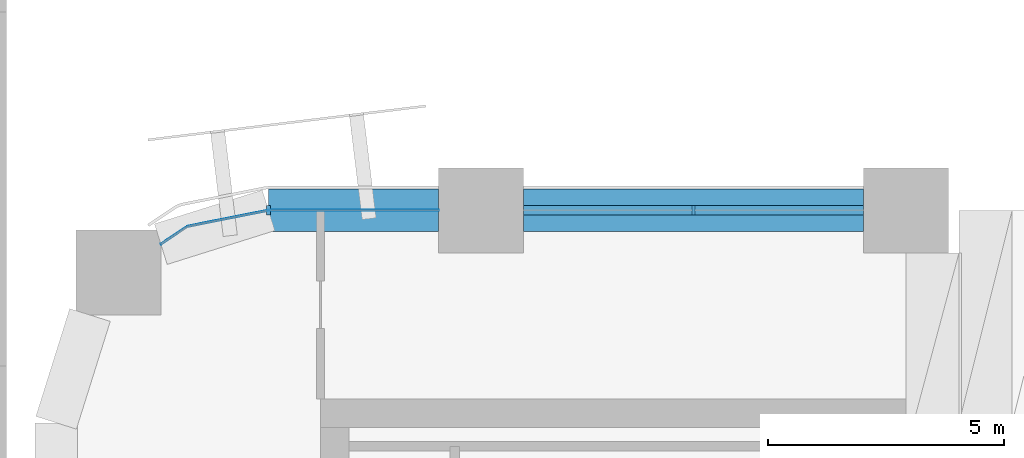
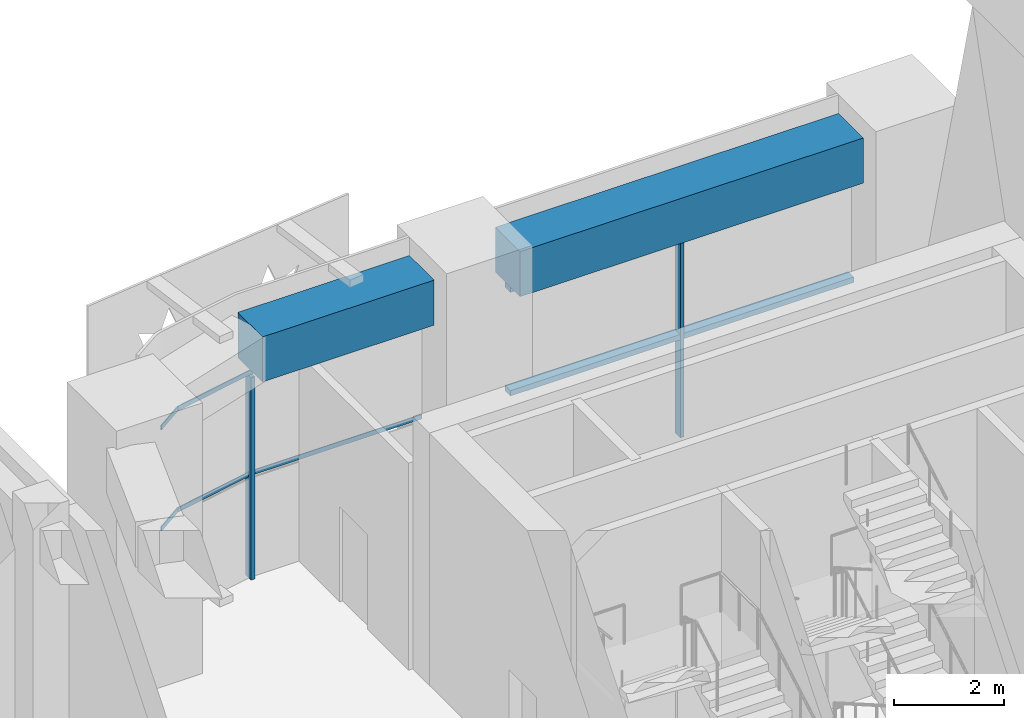
# One storey, part 8 of 46: 6 members, 2 beams, 2 elements without a shape of their own.
"""IFC4 building model written with IfcOpenShell, lengths in metres."""

from ifc_helpers import new_model, si_unit, direction, frame, origin, origin_2d, place, context, subcontext, project, spatial, polyline, rectangle, outline, extrude, material, material_profile, profile_set, type_object, element, aggregate, save


model = new_model("IFC4")

# Units and contexts
model_context = context("Model", 3, precision=1e-05, world=origin(), true_north=direction((0.0, 1.0)))
body_context = subcontext(model_context, "Body", "Model", "MODEL_VIEW")
ifc_project = project(units=[si_unit("LENGTHUNIT", "METRE"), si_unit("AREAUNIT", "SQUARE_METRE"), si_unit("VOLUMEUNIT", "CUBIC_METRE"), si_unit("PLANEANGLEUNIT", "RADIAN"), si_unit("MASSUNIT", "GRAM", prefix="KILO")], contexts=[model_context])

# Site, building, storey
site_placement = place(None, origin())
site = spatial("IfcSite", under=ifc_project, at=site_placement, CompositionType="ELEMENT")
building_placement = place(site_placement, origin())
building = spatial("IfcBuilding", under=site, at=building_placement, Name="Tessera Arch", CompositionType="ELEMENT")
storey_placement = place(building_placement, frame((0.0, 0.0, 8.0)))
storey = spatial("IfcBuildingStorey", under=building, at=storey_placement, Name="L01", CompositionType="ELEMENT", Elevation=8.0)

# Curtain wall, members
ifc_material_1 = material(Name="CW2 curtain wall")
curtain_wall_type_1 = type_object("IfcCurtainWallType", Name="CW2 curtain wall", PredefinedType="NOTDEFINED", material=ifc_material_1)
curtain_wall_1_placement = place(storey_placement, origin())
curtain_wall_1 = element("IfcCurtainWall", 1, at=curtain_wall_1_placement, inside=storey, type_object=curtain_wall_type_1, Name="CW2 curtain wall N54.0/1 L01", PredefinedType="NOTDEFINED")
ifc_material_2 = material(Name="Anodised aluminium pale metal", Category="aluminium")
ifc_material_profile_1 = material_profile(ifc_material_2, rectangle(XDim=0.199951171875, YDim=0.080078125, at=origin_2d()), Name="AL 80x200")
ifc_profile_set_1 = profile_set([ifc_material_profile_1], Name="Anodised aluminium pale metal")
member_type_1 = type_object("IfcMemberType", Name="CW2 mullion", PredefinedType="MULLION", material=ifc_profile_set_1)
member_1_placement = place(storey_placement, frame((4.5, 54.0, 0.0), z_axis=(0.0, 0.0, 1.0), x_axis=(0.0, -1.0, 0.0)))
member_1 = element("IfcMember", 2, at=member_1_placement, type_object=member_type_1, Name="CW2 mullion N54.0/1 1", PredefinedType="MULLION", context=body_context, shape_type="SweptSolid", body=[
    extrude(rectangle(XDim=0.199951171875, YDim=0.080078125, at=origin_2d()), origin(), (0.0, 0.0, 1.0), 4.489990234375),
])
ifc_material_3 = material(Name="Anodised aluminium pale metal", Category="aluminium")
ifc_material_profile_2 = material_profile(ifc_material_3, rectangle(XDim=0.199951171875, YDim=0.10009765625, at=origin_2d()), Name="AL 200x100")
ifc_profile_set_2 = profile_set([ifc_material_profile_2], Name="Anodised aluminium pale metal")
member_type_2 = type_object("IfcMemberType", Name="CW2 transom", PredefinedType="USERDEFINED", material=ifc_profile_set_2)
member_2_placement = place(storey_placement, frame((0.0, 0.0, 2.2451171875)))
member_2 = element("IfcMember", 3, at=member_2_placement, type_object=member_type_2, Name="CW2 transom N54.0/1 1", ObjectType="TRANSOM", PredefinedType="USERDEFINED", context=body_context, shape_type="SweptSolid", body=[
    extrude(outline(polyline([(4.5009765625, 53.989990234375), (8.10009765625, 53.989990234375), (8.10009765625, 54.010009765625), (4.4990234375, 54.010009765625), (2.77392578125, 53.6669921875), (2.21240234375, 53.29150390625), (2.2236328125, 53.27490234375), (2.78173828125, 53.648193359375), (4.5009765625, 53.989990234375)])), origin(), (0.0, 0.0, 1.0), 0.099853515625),
])
member_3_placement = place(storey_placement, frame((0.0, 0.0, 4.489990234375)))
member_3 = element("IfcMember", 4, at=member_3_placement, type_object=member_type_2, Name="CW2 transom N54.0/1 2", ObjectType="TRANSOM", PredefinedType="USERDEFINED", context=body_context, shape_type="SweptSolid", body=[
    extrude(outline(polyline([(4.5009765625, 53.989990234375), (8.10009765625, 53.989990234375), (8.10009765625, 54.010009765625), (4.4990234375, 54.010009765625), (2.77392578125, 53.6669921875), (2.21240234375, 53.29150390625), (2.2236328125, 53.27490234375), (2.78173828125, 53.648193359375), (4.5009765625, 53.989990234375)])), origin(), (0.0, 0.0, 1.0), 0.10009765625),
])
aggregate(curtain_wall_1, [member_1, member_2, member_3])

ifc_material_4 = material(Name="CW6 curtain wall")
curtain_wall_type_2 = type_object("IfcCurtainWallType", Name="CW6 curtain wall", PredefinedType="NOTDEFINED", material=ifc_material_4)
curtain_wall_2_placement = place(storey_placement, origin())
curtain_wall_2 = element("IfcCurtainWall", 5, at=curtain_wall_2_placement, inside=storey, type_object=curtain_wall_type_2, Name="CW6 curtain wall N54.0/0 L01", PredefinedType="NOTDEFINED")
ifc_material_5 = material(Name="Anodised aluminium pale metal", Category="aluminium")
ifc_material_profile_3 = material_profile(ifc_material_5, rectangle(XDim=0.199951171875, YDim=0.070068359375, at=origin_2d()), Name="AL 70x200")
ifc_profile_set_3 = profile_set([ifc_material_profile_3], Name="Anodised aluminium pale metal")
member_type_3 = type_object("IfcMemberType", Name="CW6 mullion", PredefinedType="MULLION", material=ifc_profile_set_3)
member_4_placement = place(storey_placement, frame((13.5, 54.0, 0.0), z_axis=(0.0, 0.0, 1.0), x_axis=(0.0, -1.0, 0.0)))
member_4 = element("IfcMember", 6, at=member_4_placement, type_object=member_type_3, Name="CW6 mullion N54.0/0 1", PredefinedType="MULLION", context=body_context, shape_type="SweptSolid", body=[
    extrude(rectangle(XDim=0.199951171875, YDim=0.070068359375, at=origin_2d()), origin(), (0.0, 0.0, 1.0), 4.469970703125),
])
ifc_material_6 = material(Name="Anodised aluminium pale metal", Category="aluminium")
ifc_material_profile_4 = material_profile(ifc_material_6, rectangle(XDim=0.199951171875, YDim=0.1201171875, at=origin_2d()), Name="AL 200x120")
ifc_profile_set_4 = profile_set([ifc_material_profile_4], Name="Anodised aluminium pale metal")
member_type_4 = type_object("IfcMemberType", Name="CW6 transom", PredefinedType="USERDEFINED", material=ifc_profile_set_4)
member_5_placement = place(storey_placement, frame((17.10009765625, 54.0, 4.530029296875), z_axis=(-1.0, 0.0, 0.0), x_axis=(0.0, -1.0, 0.0)))
member_5 = element("IfcMember", 7, at=member_5_placement, type_object=member_type_4, Name="CW6 transom N54.0/0 1.1", ObjectType="TRANSOM", PredefinedType="USERDEFINED", context=body_context, shape_type="SweptSolid", body=[
    extrude(rectangle(XDim=0.199951171875, YDim=0.1201171875, at=origin_2d()), origin(), (0.0, 0.0, 1.0), 7.2001953125),
])
member_6_placement = place(storey_placement, frame((17.10009765625, 54.0, 2.235107421875), z_axis=(-1.0, 0.0, 0.0), x_axis=(0.0, -1.0, 0.0)))
member_6 = element("IfcMember", 8, at=member_6_placement, type_object=member_type_4, Name="CW6 transom N54.0/0 2.1", ObjectType="TRANSOM", PredefinedType="USERDEFINED", context=body_context, shape_type="SweptSolid", body=[
    extrude(rectangle(XDim=0.199951171875, YDim=0.1201171875, at=origin_2d()), origin(), (0.0, 0.0, 1.0), 7.2001953125),
])
aggregate(curtain_wall_2, [member_4, member_5, member_6])

# Beams
ifc_material_7 = material(Name="Concrete C80/95", Category="concrete")
ifc_material_profile_5 = material_profile(ifc_material_7, rectangle(XDim=0.89990234375, YDim=1.0, at=origin_2d()), Name="RC spandrel beam 900 x 1000 Concrete C80/95")
ifc_profile_set_5 = profile_set([ifc_material_profile_5], Name="Concrete C80/95")
beam_type = type_object("IfcBeamType", Name="RC spandrel beam 900 x 1000 Concrete C80/95", PredefinedType="BEAM", material=ifc_profile_set_5)
beam_1_placement = place(storey_placement, frame((17.10009765625, 54.0, 5.090087890625), z_axis=(-1.0, 0.0, 0.0), x_axis=(0.0, -1.0, 0.0)))
element("IfcBeam", 9, at=beam_1_placement, inside=storey, type_object=beam_type, Name="Spandrel beam L01 N54.0/0", PredefinedType="BEAM", context=body_context, shape_type="SweptSolid", body=[
    extrude(rectangle(XDim=0.89990234375, YDim=1.0, at=origin_2d()), origin(), (0.0, 0.0, 1.0), 7.2001953125),
])
beam_2_placement = place(storey_placement, frame((8.10009765625, 54.0, 5.090087890625), z_axis=(-1.0, 0.0, 0.0), x_axis=(0.0, -1.0, 0.0)))
element("IfcBeam", 10, at=beam_2_placement, inside=storey, type_object=beam_type, Name="Spandrel beam L01 N54.0/1.1", PredefinedType="BEAM", context=body_context, shape_type="SweptSolid", body=[
    extrude(rectangle(XDim=0.89990234375, YDim=1.0, at=origin_2d()), origin(), (0.0, 0.0, 1.0), 3.60009765625),
])

save(model, "model.ifc")
